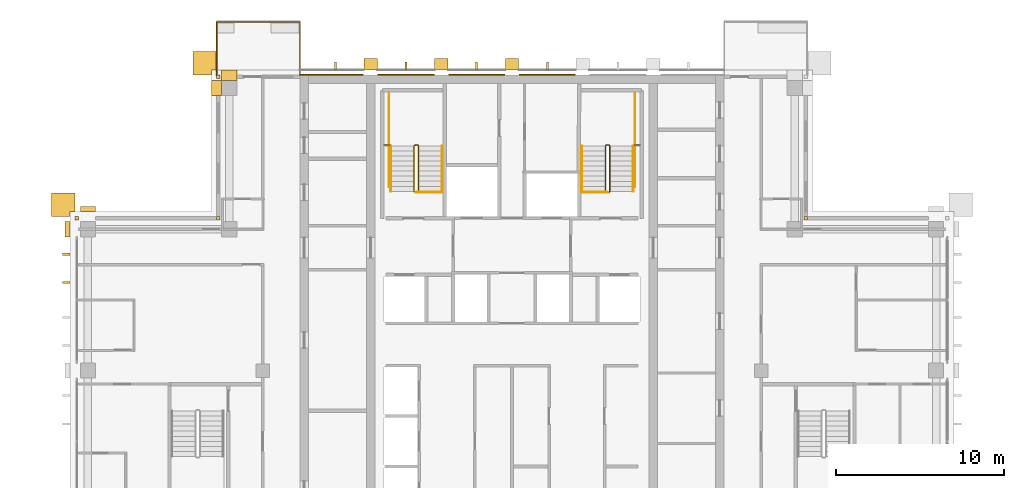
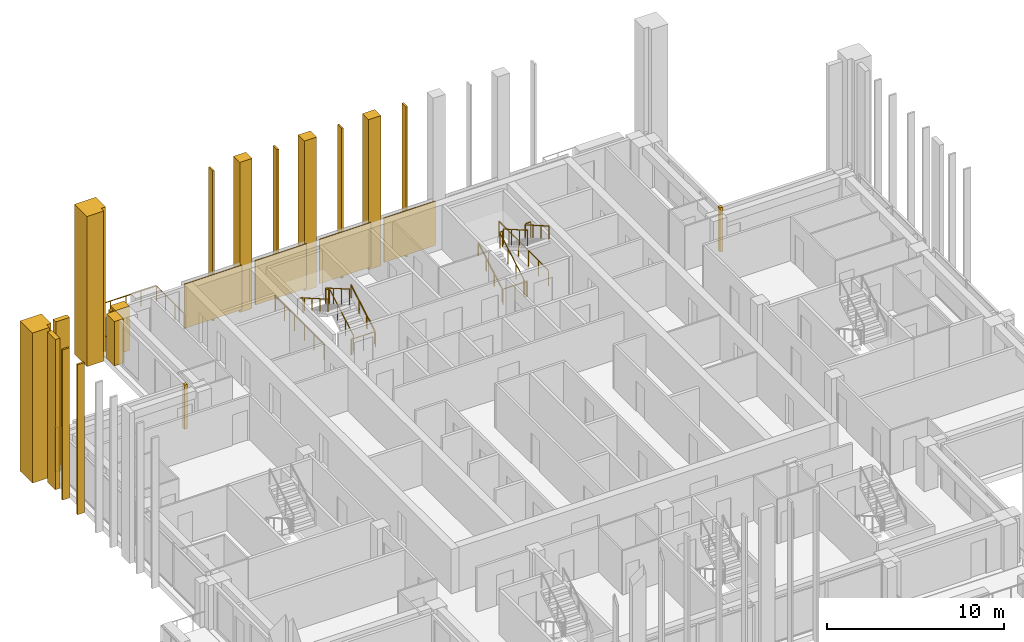
# One storey, part 19 of 20: 23 coverings, 13 railings.
"""IFC4 building model written with IfcOpenShell, lengths in metres."""

from ifc_helpers import new_model, si_unit, direction, frame, origin, origin_2d, place, context, subcontext, project, spatial, polyline, rectangle, outline, extrude, material, layer, layer_set, type_object, element, save


model = new_model("IFC4")

# Units and contexts
model_context = context("Model", 3, precision=1e-05, world=origin(), true_north=direction((0.0, 1.0)))
body_context = subcontext(model_context, "Body", "Model", "MODEL_VIEW")
ifc_project = project(units=[si_unit("LENGTHUNIT", "METRE"), si_unit("AREAUNIT", "SQUARE_METRE"), si_unit("VOLUMEUNIT", "CUBIC_METRE"), si_unit("PLANEANGLEUNIT", "RADIAN"), si_unit("MASSUNIT", "GRAM", prefix="KILO")], contexts=[model_context])

# Site, building, storey
site_placement = place(None, origin())
site = spatial("IfcSite", under=ifc_project, at=site_placement, CompositionType="ELEMENT")
building_placement = place(site_placement, origin())
building = spatial("IfcBuilding", under=site, at=building_placement, Name="Vermilion Ogive Tower", CompositionType="ELEMENT")
storey_placement = place(building_placement, frame((0.0, 0.0, 223.449951171875)))
storey = spatial("IfcBuildingStorey", under=building, at=storey_placement, Name="L58", CompositionType="ELEMENT", Elevation=223.449951171875)

# Railing
ifc_material_1 = material(Name="Stainless steel and glass", Category="steel")
railing_type_1 = type_object("IfcRailingType", Name="Balcony guard", PredefinedType="GUARDRAIL", material=ifc_material_1)
railing_1_placement = place(storey_placement, frame((-12.60009765625, 21.75, -0.0400390625)))
element("IfcRailing", 1, at=railing_1_placement, inside=storey, type_object=railing_type_1, Name="Guard N201", PredefinedType="GUARDRAIL", context=body_context, shape_type="SweptSolid", body=[
    extrude(rectangle(XDim=0.048095703125, YDim=0.048095703125, at=origin_2d()), frame((0.0, 0.0, 1.076171875), z_axis=(0.0, 1.0, 0.0), x_axis=(-1.0, 0.0, 0.0)), (0.0, 0.0, 1.0), 3.159912109375),
    extrude(rectangle(XDim=0.048095703125, YDim=0.048095703125, at=origin_2d()), frame((0.0, 3.159912109375, 1.076171875), z_axis=(-1.0, 0.0, 0.0), x_axis=(0.0, -1.0, 0.0)), (0.0, 0.0, 1.0), 4.949951171875),
    extrude(rectangle(XDim=0.048095703125, YDim=0.048095703125, at=origin_2d()), frame((-4.949951171875, 3.159912109375, 1.076171875), z_axis=(0.0, -1.0, 0.0), x_axis=(1.0, 0.0, 0.0)), (0.0, 0.0, 1.0), 3.159912109375),
    extrude(rectangle(XDim=0.0419921875, YDim=0.0419921875, at=origin_2d()), origin(), (0.0, 0.0, 1.0), 1.052001953125),
    extrude(rectangle(XDim=0.0419921875, YDim=0.0419921875, at=origin_2d()), frame((0.0, 1.05322265625, 0.0)), (0.0, 0.0, 1.0), 1.052001953125),
    extrude(rectangle(XDim=0.0419921875, YDim=0.0419921875, at=origin_2d()), frame((0.0, 2.106689453125, 0.0)), (0.0, 0.0, 1.0), 1.052001953125),
    extrude(rectangle(XDim=0.0419921875, YDim=0.0419921875, at=origin_2d()), frame((0.0, 3.159912109375, 0.0)), (0.0, 0.0, 1.0), 1.052001953125),
    extrude(rectangle(XDim=0.0419921875, YDim=0.0419921875, at=origin_2d()), frame((-0.989990234375, 3.159912109375, 0.0)), (0.0, 0.0, 1.0), 1.052001953125),
    extrude(rectangle(XDim=0.0419921875, YDim=0.0419921875, at=origin_2d()), frame((-1.97998046875, 3.159912109375, 0.0)), (0.0, 0.0, 1.0), 1.052001953125),
    extrude(rectangle(XDim=0.0419921875, YDim=0.0419921875, at=origin_2d()), frame((-2.969970703125, 3.159912109375, 0.0)), (0.0, 0.0, 1.0), 1.052001953125),
    extrude(rectangle(XDim=0.0419921875, YDim=0.0419921875, at=origin_2d()), frame((-3.9599609375, 3.159912109375, 0.0)), (0.0, 0.0, 1.0), 1.052001953125),
    extrude(rectangle(XDim=0.0419921875, YDim=0.0419921875, at=origin_2d()), frame((-4.949951171875, 3.159912109375, 0.0)), (0.0, 0.0, 1.0), 1.052001953125),
    extrude(rectangle(XDim=0.0419921875, YDim=0.0419921875, at=origin_2d()), frame((-4.949951171875, 2.106689453125, 0.0)), (0.0, 0.0, 1.0), 1.052001953125),
    extrude(rectangle(XDim=0.0419921875, YDim=0.0419921875, at=origin_2d()), frame((-4.949951171875, 1.05322265625, 0.0)), (0.0, 0.0, 1.0), 1.052001953125),
    extrude(rectangle(XDim=0.0419921875, YDim=0.0419921875, at=origin_2d()), frame((-4.949951171875, 0.0, 0.0)), (0.0, 0.0, 1.0), 1.052001953125),
])

# Coverings
ifc_material_2 = material(Name="Glazed ceramic screen")
ifc_layer = layer(ifc_material_2, 0.14990234375)
ifc_layer_set = layer_set([ifc_layer], Name="Ceramic solar screen fin")
covering_type_1 = type_object("IfcCoveringType", Name="Ceramic solar screen fin", PredefinedType="CLADDING", material=ifc_layer_set)
covering_1_placement = place(storey_placement, frame((0.0, 0.0, -0.39990234375)))
element("IfcCovering", 2, at=covering_1_placement, inside=storey, type_object=covering_type_1, Name="Solar screen blade W021", PredefinedType="CLADDING", context=body_context, shape_type="SweptSolid", body=[
    extrude(outline(polyline([(-26.699951171875, 11.172607421875), (-26.699951171875, 11.052490234375), (-26.25, 11.052490234375), (-26.25, 11.172607421875), (-26.699951171875, 11.172607421875)])), origin(), (0.0, 0.0, 1.0), 10.349853515625),
])
covering_2_placement = place(storey_placement, frame((0.0, 0.0, -0.39990234375)))
element("IfcCovering", 3, at=covering_2_placement, inside=storey, type_object=covering_type_1, Name="Solar screen blade W022", PredefinedType="CLADDING", context=body_context, shape_type="SweptSolid", body=[
    extrude(outline(polyline([(-26.699951171875, 9.49755859375), (-26.699951171875, 9.37744140625), (-26.25, 9.37744140625), (-26.25, 9.49755859375), (-26.699951171875, 9.49755859375)])), origin(), (0.0, 0.0, 1.0), 10.349853515625),
])
covering_3_placement = place(storey_placement, frame((0.0, 0.0, -0.39990234375)))
element("IfcCovering", 4, at=covering_3_placement, inside=storey, type_object=covering_type_1, Name="Solar screen blade N1", PredefinedType="CLADDING", context=body_context, shape_type="SweptSolid", body=[
    extrude(outline(polyline([(-10.56005859375, 22.08203125), (-10.43994140625, 22.08203125), (-10.43994140625, 22.531982421875), (-10.56005859375, 22.531982421875), (-10.56005859375, 22.08203125)])), origin(), (0.0, 0.0, 1.0), 10.349853515625),
])
covering_4_placement = place(storey_placement, frame((0.0, 0.0, -0.39990234375)))
element("IfcCovering", 5, at=covering_4_placement, inside=storey, type_object=covering_type_1, Name="Solar screen blade N2", PredefinedType="CLADDING", context=body_context, shape_type="SweptSolid", body=[
    extrude(outline(polyline([(-6.360107421875, 22.08203125), (-6.239990234375, 22.08203125), (-6.239990234375, 22.531982421875), (-6.360107421875, 22.531982421875), (-6.360107421875, 22.08203125)])), origin(), (0.0, 0.0, 1.0), 10.349853515625),
])
covering_5_placement = place(storey_placement, frame((0.0, 0.0, -0.39990234375)))
element("IfcCovering", 6, at=covering_5_placement, inside=storey, type_object=covering_type_1, Name="Solar screen blade N3", PredefinedType="CLADDING", context=body_context, shape_type="SweptSolid", body=[
    extrude(outline(polyline([(-2.159912109375, 22.08203125), (-2.0400390625, 22.08203125), (-2.0400390625, 22.531982421875), (-2.159912109375, 22.531982421875), (-2.159912109375, 22.08203125)])), origin(), (0.0, 0.0, 1.0), 10.349853515625),
])
covering_6_placement = place(storey_placement, frame((0.0, 0.0, -0.39990234375)))
element("IfcCovering", 7, at=covering_6_placement, inside=storey, type_object=covering_type_1, Name="Solar screen blade N4", PredefinedType="CLADDING", context=body_context, shape_type="SweptSolid", body=[
    extrude(outline(polyline([(2.0400390625, 22.08203125), (2.159912109375, 22.08203125), (2.159912109375, 22.531982421875), (2.0400390625, 22.531982421875), (2.0400390625, 22.08203125)])), origin(), (0.0, 0.0, 1.0), 10.349853515625),
])

# Railings
ifc_material_3 = material(Name="Steel S355 painted", Category="steel")
railing_type_2 = type_object("IfcRailingType", Name="Stair guard 1100", PredefinedType="GUARDRAIL", material=ifc_material_3)
railing_2_placement = place(storey_placement, frame((-5.75, 14.800048828125, 0.0)))
element("IfcRailing", 8, at=railing_2_placement, inside=storey, type_object=railing_type_2, Name="L58 ST1 stair guard 4", PredefinedType="GUARDRAIL", context=body_context, shape_type="SweptSolid", body=[
    extrude(rectangle(XDim=0.048095703125, YDim=0.048095703125, at=origin_2d()), frame((0.0, 0.0, 1.076171875), z_axis=(1.0, 0.0, 0.0), x_axis=(0.0, 1.0, 0.0)), (0.0, 0.0, 1.0), 0.14990234375),
    extrude(rectangle(XDim=0.048095703125, YDim=0.048095703125, at=origin_2d()), frame((0.14990234375, 0.0, 1.076171875), z_axis=(0.268277960024, 0.268277960024, 0.925231793839), x_axis=(-0.707106781187, 0.707106781187, 0.0)), (0.0, 0.0, 1.0), 0.1865234375),
    extrude(rectangle(XDim=0.048095703125, YDim=0.048095703125, at=origin_2d()), frame((0.199951171875, 0.050048828125, 1.24853515625), z_axis=(0.0, 0.866903762492, 0.498475542607), x_axis=(-1.0, 0.0, 0.0)), (0.0, 0.0, 1.0), 3.114501953125),
    extrude(rectangle(XDim=0.048095703125, YDim=0.048095703125, at=origin_2d()), frame((0.199951171875, 2.75, 2.80126953125), z_axis=(-0.707106781187, 0.707106781187, 0.0), x_axis=(-0.707106781187, -0.707106781187, 0.0)), (0.0, 0.0, 1.0), 0.07080078125),
    extrude(rectangle(XDim=0.048095703125, YDim=0.048095703125, at=origin_2d()), frame((0.14990234375, 2.800048828125, 2.80126953125), z_axis=(-1.0, 0.0, 0.0), x_axis=(0.0, -1.0, 0.0)), (0.0, 0.0, 1.0), 0.14990234375),
    extrude(rectangle(XDim=0.048095703125, YDim=0.048095703125, at=origin_2d()), frame((0.0, 2.800048828125, 2.80126953125), z_axis=(-0.268603158521, -0.268603158521, 0.925043072762), x_axis=(0.707106781187, -0.707106781187, 0.0)), (0.0, 0.0, 1.0), 0.186279296875),
    extrude(rectangle(XDim=0.048095703125, YDim=0.048095703125, at=origin_2d()), frame((-0.050048828125, 2.75, 2.9736328125), z_axis=(0.0, -0.866903762492, 0.498475542607), x_axis=(1.0, 0.0, 0.0)), (0.0, 0.0, 1.0), 3.114501953125),
    extrude(rectangle(XDim=0.0419921875, YDim=0.0419921875, at=origin_2d()), origin(), (0.0, 0.0, 1.0), 1.052001953125),
    extrude(rectangle(XDim=0.0419921875, YDim=0.0419921875, at=origin_2d()), frame((0.14990234375, 0.0, 0.0)), (0.0, 0.0, 1.0), 1.052001953125),
    extrude(rectangle(XDim=0.0419921875, YDim=0.0419921875, at=origin_2d()), frame((0.199951171875, 0.050048828125, 0.172607421875)), (0.0, 0.0, 1.0), 1.052001953125),
    extrude(rectangle(XDim=0.0419921875, YDim=0.0419921875, at=origin_2d()), frame((0.199951171875, 0.949951171875, 0.690185546875)), (0.0, 0.0, 1.0), 1.052001953125),
    extrude(rectangle(XDim=0.0419921875, YDim=0.0419921875, at=origin_2d()), frame((0.199951171875, 1.85009765625, 1.20751953125)), (0.0, 0.0, 1.0), 1.052001953125),
    extrude(rectangle(XDim=0.0419921875, YDim=0.0419921875, at=origin_2d()), frame((0.199951171875, 2.75, 1.72509765625)), (0.0, 0.0, 1.0), 1.052001953125),
    extrude(rectangle(XDim=0.0419921875, YDim=0.0419921875, at=origin_2d()), frame((0.14990234375, 2.800048828125, 1.72509765625)), (0.0, 0.0, 1.0), 1.052001953125),
    extrude(rectangle(XDim=0.0419921875, YDim=0.0419921875, at=origin_2d()), frame((0.0, 2.800048828125, 1.72509765625)), (0.0, 0.0, 1.0), 1.052001953125),
    extrude(rectangle(XDim=0.0419921875, YDim=0.0419921875, at=origin_2d()), frame((-0.050048828125, 2.75, 1.8974609375)), (0.0, 0.0, 1.0), 1.052001953125),
    extrude(rectangle(XDim=0.0419921875, YDim=0.0419921875, at=origin_2d()), frame((-0.050048828125, 1.85009765625, 2.4150390625)), (0.0, 0.0, 1.0), 1.052001953125),
    extrude(rectangle(XDim=0.0419921875, YDim=0.0419921875, at=origin_2d()), frame((-0.050048828125, 0.949951171875, 2.932373046875)), (0.0, 0.0, 1.0), 1.052001953125),
    extrude(rectangle(XDim=0.0419921875, YDim=0.0419921875, at=origin_2d()), frame((-0.050048828125, 0.050048828125, 3.449951171875)), (0.0, 0.0, 1.0), 1.052001953125),
])
railing_3_placement = place(storey_placement, frame((5.75, 14.800048828125, 0.0)))
element("IfcRailing", 9, at=railing_3_placement, inside=storey, type_object=railing_type_2, Name="L58 ST2 stair guard 4", PredefinedType="GUARDRAIL", context=body_context, shape_type="SweptSolid", body=[
    extrude(rectangle(XDim=0.048095703125, YDim=0.048095703125, at=origin_2d()), frame((0.0, 0.0, 1.076171875), z_axis=(-1.0, 0.0, 0.0), x_axis=(0.0, -1.0, 0.0)), (0.0, 0.0, 1.0), 0.14990234375),
    extrude(rectangle(XDim=0.048095703125, YDim=0.048095703125, at=origin_2d()), frame((-0.14990234375, 0.0, 1.076171875), z_axis=(-0.268277960024, 0.268277960024, 0.925231793839), x_axis=(-0.707106781187, -0.707106781187, 0.0)), (0.0, 0.0, 1.0), 0.1865234375),
    extrude(rectangle(XDim=0.048095703125, YDim=0.048095703125, at=origin_2d()), frame((-0.199951171875, 0.050048828125, 1.24853515625), z_axis=(0.0, 0.866903762492, 0.498475542607), x_axis=(-1.0, 0.0, 0.0)), (0.0, 0.0, 1.0), 3.114501953125),
    extrude(rectangle(XDim=0.048095703125, YDim=0.048095703125, at=origin_2d()), frame((-0.199951171875, 2.75, 2.80126953125), z_axis=(0.707106781187, 0.707106781187, 0.0), x_axis=(-0.707106781187, 0.707106781187, 0.0)), (0.0, 0.0, 1.0), 0.07080078125),
    extrude(rectangle(XDim=0.048095703125, YDim=0.048095703125, at=origin_2d()), frame((-0.14990234375, 2.800048828125, 2.80126953125), z_axis=(1.0, 0.0, 0.0), x_axis=(0.0, 1.0, 0.0)), (0.0, 0.0, 1.0), 0.14990234375),
    extrude(rectangle(XDim=0.048095703125, YDim=0.048095703125, at=origin_2d()), frame((0.0, 2.800048828125, 2.80126953125), z_axis=(0.268603158521, -0.268603158521, 0.925043072762), x_axis=(0.707106781187, 0.707106781187, 0.0)), (0.0, 0.0, 1.0), 0.186279296875),
    extrude(rectangle(XDim=0.048095703125, YDim=0.048095703125, at=origin_2d()), frame((0.050048828125, 2.75, 2.9736328125), z_axis=(0.0, -0.866903762492, 0.498475542607), x_axis=(1.0, 0.0, 0.0)), (0.0, 0.0, 1.0), 3.114501953125),
    extrude(rectangle(XDim=0.0419921875, YDim=0.0419921875, at=origin_2d()), origin(), (0.0, 0.0, 1.0), 1.052001953125),
    extrude(rectangle(XDim=0.0419921875, YDim=0.0419921875, at=origin_2d()), frame((-0.14990234375, 0.0, 0.0)), (0.0, 0.0, 1.0), 1.052001953125),
    extrude(rectangle(XDim=0.0419921875, YDim=0.0419921875, at=origin_2d()), frame((-0.199951171875, 0.050048828125, 0.172607421875)), (0.0, 0.0, 1.0), 1.052001953125),
    extrude(rectangle(XDim=0.0419921875, YDim=0.0419921875, at=origin_2d()), frame((-0.199951171875, 0.949951171875, 0.690185546875)), (0.0, 0.0, 1.0), 1.052001953125),
    extrude(rectangle(XDim=0.0419921875, YDim=0.0419921875, at=origin_2d()), frame((-0.199951171875, 1.85009765625, 1.20751953125)), (0.0, 0.0, 1.0), 1.052001953125),
    extrude(rectangle(XDim=0.0419921875, YDim=0.0419921875, at=origin_2d()), frame((-0.199951171875, 2.75, 1.72509765625)), (0.0, 0.0, 1.0), 1.052001953125),
    extrude(rectangle(XDim=0.0419921875, YDim=0.0419921875, at=origin_2d()), frame((-0.14990234375, 2.800048828125, 1.72509765625)), (0.0, 0.0, 1.0), 1.052001953125),
    extrude(rectangle(XDim=0.0419921875, YDim=0.0419921875, at=origin_2d()), frame((0.0, 2.800048828125, 1.72509765625)), (0.0, 0.0, 1.0), 1.052001953125),
    extrude(rectangle(XDim=0.0419921875, YDim=0.0419921875, at=origin_2d()), frame((0.050048828125, 2.75, 1.8974609375)), (0.0, 0.0, 1.0), 1.052001953125),
    extrude(rectangle(XDim=0.0419921875, YDim=0.0419921875, at=origin_2d()), frame((0.050048828125, 1.85009765625, 2.4150390625)), (0.0, 0.0, 1.0), 1.052001953125),
    extrude(rectangle(XDim=0.0419921875, YDim=0.0419921875, at=origin_2d()), frame((0.050048828125, 0.949951171875, 2.932373046875)), (0.0, 0.0, 1.0), 1.052001953125),
    extrude(rectangle(XDim=0.0419921875, YDim=0.0419921875, at=origin_2d()), frame((0.050048828125, 0.050048828125, 3.449951171875)), (0.0, 0.0, 1.0), 1.052001953125),
])
for number, where, name in (
    (10, (-7.60009765625, 17.60009765625, 1.72509765625), "L58 landing guard"),
    (11, (7.25, 17.60009765625, 1.72509765625), "L58 landing guard"),
):
    element("IfcRailing", number, at=place(storey_placement, frame(where)), inside=storey, type_object=railing_type_2, Name=name, PredefinedType="GUARDRAIL", context=body_context, shape_type="SweptSolid", body=[
        extrude(rectangle(XDim=0.048095703125, YDim=0.048095703125, at=origin_2d()), frame((0.0, 0.0, 1.076171875), z_axis=(1.0, 0.0, 0.0), x_axis=(0.0, 1.0, 0.0)), (0.0, 0.0, 1.0), 0.35009765625),
        extrude(rectangle(XDim=0.0419921875, YDim=0.0419921875, at=origin_2d()), origin(), (0.0, 0.0, 1.0), 1.052001953125),
        extrude(rectangle(XDim=0.0419921875, YDim=0.0419921875, at=origin_2d()), frame((0.35009765625, 0.0, 0.0)), (0.0, 0.0, 1.0), 1.052001953125),
    ])
railing_4_placement = place(storey_placement, frame((-7.31005859375, 20.68994140625, 0.0)))
element("IfcRailing", 12, at=railing_4_placement, inside=storey, type_object=railing_type_2, Name="L58 stair opening guard", PredefinedType="GUARDRAIL", context=body_context, shape_type="SweptSolid", body=[
    extrude(rectangle(XDim=0.048095703125, YDim=0.048095703125, at=origin_2d()), frame((0.0, 0.0, 1.076171875), z_axis=(0.0, -1.0, 0.0), x_axis=(1.0, 0.0, 0.0)), (0.0, 0.0, 1.0), 5.564208984375),
    extrude(rectangle(XDim=0.0419921875, YDim=0.0419921875, at=origin_2d()), origin(), (0.0, 0.0, 1.0), 1.052001953125),
    extrude(rectangle(XDim=0.0419921875, YDim=0.0419921875, at=origin_2d()), frame((0.0, -1.11279296875, 0.0)), (0.0, 0.0, 1.0), 1.052001953125),
    extrude(rectangle(XDim=0.0419921875, YDim=0.0419921875, at=origin_2d()), frame((0.0, -2.2255859375, 0.0)), (0.0, 0.0, 1.0), 1.052001953125),
    extrude(rectangle(XDim=0.0419921875, YDim=0.0419921875, at=origin_2d()), frame((0.0, -3.338623046875, 0.0)), (0.0, 0.0, 1.0), 1.052001953125),
    extrude(rectangle(XDim=0.0419921875, YDim=0.0419921875, at=origin_2d()), frame((0.0, -4.451416015625, 0.0)), (0.0, 0.0, 1.0), 1.052001953125),
    extrude(rectangle(XDim=0.0419921875, YDim=0.0419921875, at=origin_2d()), frame((0.0, -5.564208984375, 0.0)), (0.0, 0.0, 1.0), 1.052001953125),
])
for number, where, name in (
    (13, (-5.699951171875, 14.7900390625, 0.0), "L58 stair opening guard"),
    (14, (4.159912109375, 14.7900390625, 0.0), "L58 stair opening guard"),
):
    element("IfcRailing", number, at=place(storey_placement, frame(where)), inside=storey, type_object=railing_type_2, Name=name, PredefinedType="GUARDRAIL", context=body_context, shape_type="SweptSolid", body=[
        extrude(rectangle(XDim=0.048095703125, YDim=0.048095703125, at=origin_2d()), frame((0.0, 0.0, 1.076171875), z_axis=(1.0, 0.0, 0.0), x_axis=(0.0, 1.0, 0.0)), (0.0, 0.0, 1.0), 1.5400390625),
        extrude(rectangle(XDim=0.0419921875, YDim=0.0419921875, at=origin_2d()), origin(), (0.0, 0.0, 1.0), 1.052001953125),
        extrude(rectangle(XDim=0.0419921875, YDim=0.0419921875, at=origin_2d()), frame((0.77001953125, 0.0, 0.0)), (0.0, 0.0, 1.0), 1.052001953125),
        extrude(rectangle(XDim=0.0419921875, YDim=0.0419921875, at=origin_2d()), frame((1.5400390625, 0.0, 0.0)), (0.0, 0.0, 1.0), 1.052001953125),
    ])
railing_5_placement = place(storey_placement, frame((7.31005859375, 15.125732421875, 0.0)))
element("IfcRailing", 15, at=railing_5_placement, inside=storey, type_object=railing_type_2, Name="L58 stair opening guard", PredefinedType="GUARDRAIL", context=body_context, shape_type="SweptSolid", body=[
    extrude(rectangle(XDim=0.048095703125, YDim=0.048095703125, at=origin_2d()), frame((0.0, 0.0, 1.076171875), z_axis=(0.0, 1.0, 0.0), x_axis=(-1.0, 0.0, 0.0)), (0.0, 0.0, 1.0), 5.564208984375),
    extrude(rectangle(XDim=0.0419921875, YDim=0.0419921875, at=origin_2d()), origin(), (0.0, 0.0, 1.0), 1.052001953125),
    extrude(rectangle(XDim=0.0419921875, YDim=0.0419921875, at=origin_2d()), frame((0.0, 1.11279296875, 0.0)), (0.0, 0.0, 1.0), 1.052001953125),
    extrude(rectangle(XDim=0.0419921875, YDim=0.0419921875, at=origin_2d()), frame((0.0, 2.2255859375, 0.0)), (0.0, 0.0, 1.0), 1.052001953125),
    extrude(rectangle(XDim=0.0419921875, YDim=0.0419921875, at=origin_2d()), frame((0.0, 3.338623046875, 0.0)), (0.0, 0.0, 1.0), 1.052001953125),
    extrude(rectangle(XDim=0.0419921875, YDim=0.0419921875, at=origin_2d()), frame((0.0, 4.451416015625, 0.0)), (0.0, 0.0, 1.0), 1.052001953125),
    extrude(rectangle(XDim=0.0419921875, YDim=0.0419921875, at=origin_2d()), frame((0.0, 5.564208984375, 0.0)), (0.0, 0.0, 1.0), 1.052001953125),
])
ifc_material_4 = material(Name="Stainless steel", Category="steel")
railing_type_3 = type_object("IfcRailingType", Name="Stair handrail 900", PredefinedType="HANDRAIL", material=ifc_material_4)
railing_6_placement = place(storey_placement, frame((-4.14990234375, 14.85009765625, 0.172607421875)))
element("IfcRailing", 16, at=railing_6_placement, inside=storey, type_object=railing_type_3, Name="L58 ST1 stair handrail 1", PredefinedType="HANDRAIL", context=body_context, shape_type="SweptSolid", body=[
    extrude(rectangle(XDim=0.048095703125, YDim=0.048095703125, at=origin_2d()), frame((0.0, 0.0, 0.8759765625), z_axis=(0.0, 0.866903762492, 0.498475542607), x_axis=(-1.0, 0.0, 0.0)), (0.0, 0.0, 1.0), 3.114501953125),
    extrude(rectangle(XDim=0.0419921875, YDim=0.0419921875, at=origin_2d()), origin(), (0.0, 0.0, 1.0), 0.851806640625),
    extrude(rectangle(XDim=0.0419921875, YDim=0.0419921875, at=origin_2d()), frame((0.0, 0.89990234375, 0.517578125)), (0.0, 0.0, 1.0), 0.851806640625),
    extrude(rectangle(XDim=0.0419921875, YDim=0.0419921875, at=origin_2d()), frame((0.0, 1.800048828125, 1.034912109375)), (0.0, 0.0, 1.0), 0.851806640625),
    extrude(rectangle(XDim=0.0419921875, YDim=0.0419921875, at=origin_2d()), frame((0.0, 2.699951171875, 1.552490234375)), (0.0, 0.0, 1.0), 0.851806640625),
])
railing_7_placement = place(storey_placement, frame((-7.199951171875, 17.550048828125, 1.8974609375)))
element("IfcRailing", 17, at=railing_7_placement, inside=storey, type_object=railing_type_3, Name="L58 ST1 stair handrail 2", PredefinedType="HANDRAIL", context=body_context, shape_type="SweptSolid", body=[
    extrude(rectangle(XDim=0.048095703125, YDim=0.048095703125, at=origin_2d()), frame((0.0, 0.0, 0.8759765625), z_axis=(0.0, -0.866903762492, 0.498475542607), x_axis=(1.0, 0.0, 0.0)), (0.0, 0.0, 1.0), 3.114501953125),
    extrude(rectangle(XDim=0.0419921875, YDim=0.0419921875, at=origin_2d()), origin(), (0.0, 0.0, 1.0), 0.851806640625),
    extrude(rectangle(XDim=0.0419921875, YDim=0.0419921875, at=origin_2d()), frame((0.0, -0.89990234375, 0.517578125)), (0.0, 0.0, 1.0), 0.851806640625),
    extrude(rectangle(XDim=0.0419921875, YDim=0.0419921875, at=origin_2d()), frame((0.0, -1.800048828125, 1.034912109375)), (0.0, 0.0, 1.0), 0.851806640625),
    extrude(rectangle(XDim=0.0419921875, YDim=0.0419921875, at=origin_2d()), frame((0.0, -2.699951171875, 1.552490234375)), (0.0, 0.0, 1.0), 0.851806640625),
])
railing_8_placement = place(storey_placement, frame((4.14990234375, 14.85009765625, 0.172607421875)))
element("IfcRailing", 18, at=railing_8_placement, inside=storey, type_object=railing_type_3, Name="L58 ST2 stair handrail 1", PredefinedType="HANDRAIL", context=body_context, shape_type="SweptSolid", body=[
    extrude(rectangle(XDim=0.048095703125, YDim=0.048095703125, at=origin_2d()), frame((0.0, 0.0, 0.8759765625), z_axis=(0.0, 0.866903762492, 0.498475542607), x_axis=(-1.0, 0.0, 0.0)), (0.0, 0.0, 1.0), 3.114501953125),
    extrude(rectangle(XDim=0.0419921875, YDim=0.0419921875, at=origin_2d()), origin(), (0.0, 0.0, 1.0), 0.851806640625),
    extrude(rectangle(XDim=0.0419921875, YDim=0.0419921875, at=origin_2d()), frame((0.0, 0.89990234375, 0.517578125)), (0.0, 0.0, 1.0), 0.851806640625),
    extrude(rectangle(XDim=0.0419921875, YDim=0.0419921875, at=origin_2d()), frame((0.0, 1.800048828125, 1.034912109375)), (0.0, 0.0, 1.0), 0.851806640625),
    extrude(rectangle(XDim=0.0419921875, YDim=0.0419921875, at=origin_2d()), frame((0.0, 2.699951171875, 1.552490234375)), (0.0, 0.0, 1.0), 0.851806640625),
])
railing_9_placement = place(storey_placement, frame((7.199951171875, 17.550048828125, 1.8974609375)))
element("IfcRailing", 19, at=railing_9_placement, inside=storey, type_object=railing_type_3, Name="L58 ST2 stair handrail 2", PredefinedType="HANDRAIL", context=body_context, shape_type="SweptSolid", body=[
    extrude(rectangle(XDim=0.048095703125, YDim=0.048095703125, at=origin_2d()), frame((0.0, 0.0, 0.8759765625), z_axis=(0.0, -0.866903762492, 0.498475542607), x_axis=(1.0, 0.0, 0.0)), (0.0, 0.0, 1.0), 3.114501953125),
    extrude(rectangle(XDim=0.0419921875, YDim=0.0419921875, at=origin_2d()), origin(), (0.0, 0.0, 1.0), 0.851806640625),
    extrude(rectangle(XDim=0.0419921875, YDim=0.0419921875, at=origin_2d()), frame((0.0, -0.89990234375, 0.517578125)), (0.0, 0.0, 1.0), 0.851806640625),
    extrude(rectangle(XDim=0.0419921875, YDim=0.0419921875, at=origin_2d()), frame((0.0, -1.800048828125, 1.034912109375)), (0.0, 0.0, 1.0), 0.851806640625),
    extrude(rectangle(XDim=0.0419921875, YDim=0.0419921875, at=origin_2d()), frame((0.0, -2.699951171875, 1.552490234375)), (0.0, 0.0, 1.0), 0.851806640625),
])

# Coverings
ifc_material_5 = material(Name="Stone cladding", Category="masonry")
covering_type_2 = type_object("IfcCoveringType", Name="Stone buttress pier", PredefinedType="CLADDING", material=ifc_material_5)
covering_7_placement = place(storey_placement, frame((0.0, 0.0, -0.39990234375)))
element("IfcCovering", 20, at=covering_7_placement, inside=storey, type_object=covering_type_2, Name="Stone buttress pier N1", PredefinedType="CLADDING", context=body_context, shape_type="SweptSolid", body=[
    extrude(outline(polyline([(-8.0, 22.75), (-8.0, 22.050048828125), (-8.800048828125, 22.050048828125), (-8.800048828125, 22.75), (-8.0, 22.75)])), origin(), (0.0, 0.0, 1.0), 10.349853515625),
])
covering_8_placement = place(storey_placement, frame((0.0, 0.0, -0.39990234375)))
element("IfcCovering", 21, at=covering_8_placement, inside=storey, type_object=covering_type_2, Name="Stone buttress pier N2", PredefinedType="CLADDING", context=body_context, shape_type="SweptSolid", body=[
    extrude(outline(polyline([(-3.800048828125, 22.75), (-3.800048828125, 22.050048828125), (-4.60009765625, 22.050048828125), (-4.60009765625, 22.75), (-3.800048828125, 22.75)])), origin(), (0.0, 0.0, 1.0), 10.349853515625),
])
covering_9_placement = place(storey_placement, frame((0.0, 0.0, -0.39990234375)))
element("IfcCovering", 22, at=covering_9_placement, inside=storey, type_object=covering_type_2, Name="Stone buttress pier N3", PredefinedType="CLADDING", context=body_context, shape_type="SweptSolid", body=[
    extrude(outline(polyline([(0.39990234375, 22.75), (0.39990234375, 22.050048828125), (-0.39990234375, 22.050048828125), (-0.39990234375, 22.75), (0.39990234375, 22.75)])), origin(), (0.0, 0.0, 1.0), 10.349853515625),
])
ifc_material_6 = material(Name="Stone cladding", Category="masonry")
covering_type_3 = type_object("IfcCoveringType", Name="Stone cladding panel", PredefinedType="CLADDING", material=ifc_material_6)
covering_10_placement = place(storey_placement, origin())
element("IfcCovering", 23, at=covering_10_placement, inside=storey, type_object=covering_type_3, Name="Stone cladding panel N1", PredefinedType="CLADDING", context=body_context, shape_type="SweptSolid", body=[
    extrude(outline(polyline([(-12.590087890625, 21.75), (-8.830078125, 21.75), (-8.830078125, 21.81005859375), (-12.590087890625, 21.81005859375), (-12.590087890625, 21.75)])), origin(), (0.0, 0.0, 1.0), 3.050048828125),
])
covering_11_placement = place(storey_placement, origin())
element("IfcCovering", 24, at=covering_11_placement, inside=storey, type_object=covering_type_3, Name="Stone cladding panel N2", PredefinedType="CLADDING", context=body_context, shape_type="SweptSolid", body=[
    extrude(outline(polyline([(-7.969970703125, 21.75), (-4.6298828125, 21.75), (-4.6298828125, 21.81005859375), (-7.969970703125, 21.81005859375), (-7.969970703125, 21.75)])), origin(), (0.0, 0.0, 1.0), 3.050048828125),
])
covering_12_placement = place(storey_placement, origin())
element("IfcCovering", 25, at=covering_12_placement, inside=storey, type_object=covering_type_3, Name="Stone cladding panel N3", PredefinedType="CLADDING", context=body_context, shape_type="SweptSolid", body=[
    extrude(outline(polyline([(-3.77001953125, 21.75), (-0.429931640625, 21.75), (-0.429931640625, 21.81005859375), (-3.77001953125, 21.81005859375), (-3.77001953125, 21.75)])), origin(), (0.0, 0.0, 1.0), 3.050048828125),
])
covering_13_placement = place(storey_placement, origin())
element("IfcCovering", 26, at=covering_13_placement, inside=storey, type_object=covering_type_3, Name="Stone cladding panel N4", PredefinedType="CLADDING", context=body_context, shape_type="SweptSolid", body=[
    extrude(outline(polyline([(0.429931640625, 21.75), (3.77001953125, 21.75), (3.77001953125, 21.81005859375), (0.429931640625, 21.81005859375), (0.429931640625, 21.75)])), origin(), (0.0, 0.0, 1.0), 3.050048828125),
])
ifc_material_7 = material(Name="Stone cladding", Category="masonry")
covering_type_4 = type_object("IfcCoveringType", Name="Stone corner buttress", PredefinedType="CLADDING", material=ifc_material_7)
covering_14_placement = place(storey_placement, frame((0.0, 0.0, -0.39990234375)))
element("IfcCovering", 27, at=covering_14_placement, inside=storey, type_object=covering_type_4, Name="Stone corner buttress X51", PredefinedType="CLADDING", context=body_context, shape_type="SweptSolid", body=[
    extrude(outline(polyline([(-17.550048828125, 23.14990234375), (-17.550048828125, 22.050048828125), (-17.85009765625, 22.050048828125), (-17.85009765625, 21.75), (-18.949951171875, 21.75), (-18.949951171875, 23.14990234375), (-17.550048828125, 23.14990234375)])), origin(), (0.0, 0.0, 1.0), 10.349853515625),
])
covering_15_placement = place(storey_placement, frame((0.0, 0.0, -0.39990234375)))
element("IfcCovering", 28, at=covering_15_placement, inside=storey, type_object=covering_type_4, Name="Stone corner buttress W1", PredefinedType="CLADDING", context=body_context, shape_type="SweptSolid", body=[
    extrude(outline(polyline([(-25.949951171875, 13.64990234375), (-26.25, 13.64990234375), (-26.25, 13.35009765625), (-27.35009765625, 13.35009765625), (-27.35009765625, 14.75), (-25.949951171875, 14.75), (-25.949951171875, 13.64990234375)])), origin(), (0.0, 0.0, 1.0), 10.349853515625),
])
ifc_material_8 = material(Name="Stone cladding", Category="masonry")
covering_type_5 = type_object("IfcCoveringType", Name="Stone pier", PredefinedType="CLADDING", material=ifc_material_8)
covering_16_placement = place(storey_placement, origin())
element("IfcCovering", 29, at=covering_16_placement, inside=storey, type_object=covering_type_5, Name="Stone corner pier X3E1", PredefinedType="CLADDING", context=body_context, shape_type="SweptSolid", body=[
    extrude(outline(polyline([(17.35009765625, 13.14990234375), (17.35009765625, 13.35009765625), (17.550048828125, 13.35009765625), (17.550048828125, 13.14990234375), (17.35009765625, 13.14990234375)])), origin(), (0.0, 0.0, 1.0), 3.050048828125),
])
covering_17_placement = place(storey_placement, origin())
element("IfcCovering", 30, at=covering_17_placement, inside=storey, type_object=covering_type_5, Name="Stone corner pier N2E1", PredefinedType="CLADDING", context=body_context, shape_type="SweptSolid", body=[
    extrude(outline(polyline([(-17.35009765625, 21.550048828125), (-17.550048828125, 21.550048828125), (-17.550048828125, 21.75), (-17.35009765625, 21.75), (-17.35009765625, 21.550048828125)])), origin(), (0.0, 0.0, 1.0), 3.050048828125),
])
covering_18_placement = place(storey_placement, origin())
element("IfcCovering", 31, at=covering_18_placement, inside=storey, type_object=covering_type_5, Name="Stone corner pier X5E1", PredefinedType="CLADDING", context=body_context, shape_type="SweptSolid", body=[
    extrude(outline(polyline([(-17.35009765625, 13.14990234375), (-17.550048828125, 13.14990234375), (-17.550048828125, 13.35009765625), (-17.35009765625, 13.35009765625), (-17.35009765625, 13.14990234375)])), origin(), (0.0, 0.0, 1.0), 3.050048828125),
])
covering_19_placement = place(storey_placement, origin())
element("IfcCovering", 32, at=covering_19_placement, inside=storey, type_object=covering_type_5, Name="Stone corner pier X6E1", PredefinedType="CLADDING", context=body_context, shape_type="SweptSolid", body=[
    extrude(outline(polyline([(-25.75, 13.14990234375), (-25.949951171875, 13.14990234375), (-25.949951171875, 13.35009765625), (-25.75, 13.35009765625), (-25.75, 13.14990234375)])), origin(), (0.0, 0.0, 1.0), 3.050048828125),
])
covering_20_placement = place(storey_placement, frame((0.0, 0.0, -0.39990234375)))
element("IfcCovering", 33, at=covering_20_placement, inside=storey, type_object=covering_type_5, Name="Stone pier P-0252+126X6", PredefinedType="CLADDING", context=body_context, shape_type="SweptSolid", body=[
    extrude(outline(polyline([(-25.64990234375, 13.949951171875), (-24.75, 13.949951171875), (-24.75, 13.64990234375), (-25.64990234375, 13.64990234375), (-25.64990234375, 13.949951171875)])), origin(), (0.0, 0.0, 1.0), 10.349853515625),
])
covering_21_placement = place(storey_placement, frame((0.0, 0.0, -0.39990234375)))
element("IfcCovering", 34, at=covering_21_placement, inside=storey, type_object=covering_type_5, Name="Stone pier P-0252+126W", PredefinedType="CLADDING", context=body_context, shape_type="SweptSolid", body=[
    extrude(outline(polyline([(-26.550048828125, 13.050048828125), (-26.25, 13.050048828125), (-26.25, 12.14990234375), (-26.550048828125, 12.14990234375), (-26.550048828125, 13.050048828125)])), origin(), (0.0, 0.0, 1.0), 10.349853515625),
])
covering_22_placement = place(storey_placement, origin())
element("IfcCovering", 35, at=covering_22_placement, inside=storey, type_object=covering_type_5, Name="Stone pier P-0168+210N2", PredefinedType="CLADDING", context=body_context, shape_type="SweptSolid", body=[
    extrude(outline(polyline([(-17.25, 21.449951171875), (-17.25, 22.050048828125), (-16.35009765625, 22.050048828125), (-16.35009765625, 21.449951171875), (-17.25, 21.449951171875), (-17.25, 21.449951171875)])), origin(), (0.0, 0.0, 1.0), 3.050048828125),
])
covering_23_placement = place(storey_placement, origin())
element("IfcCovering", 36, at=covering_23_placement, inside=storey, type_object=covering_type_5, Name="Stone pier P-0168+210X5", PredefinedType="CLADDING", context=body_context, shape_type="SweptSolid", body=[
    extrude(outline(polyline([(-17.85009765625, 21.449951171875), (-17.25, 21.449951171875), (-17.25, 21.449951171875), (-17.25, 20.550048828125), (-17.85009765625, 20.550048828125), (-17.85009765625, 21.449951171875)])), origin(), (0.0, 0.0, 1.0), 3.050048828125),
])

save(model, "model.ifc")
